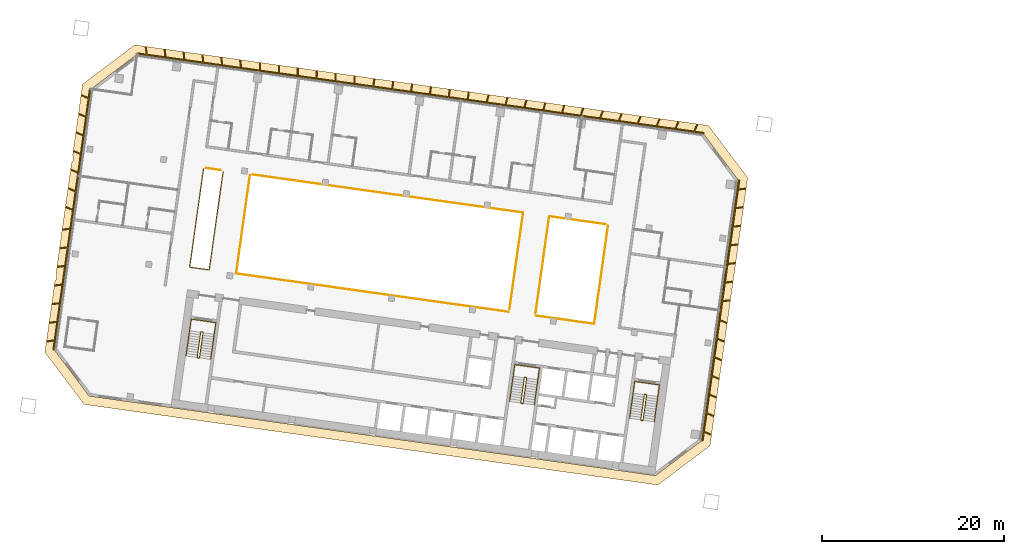
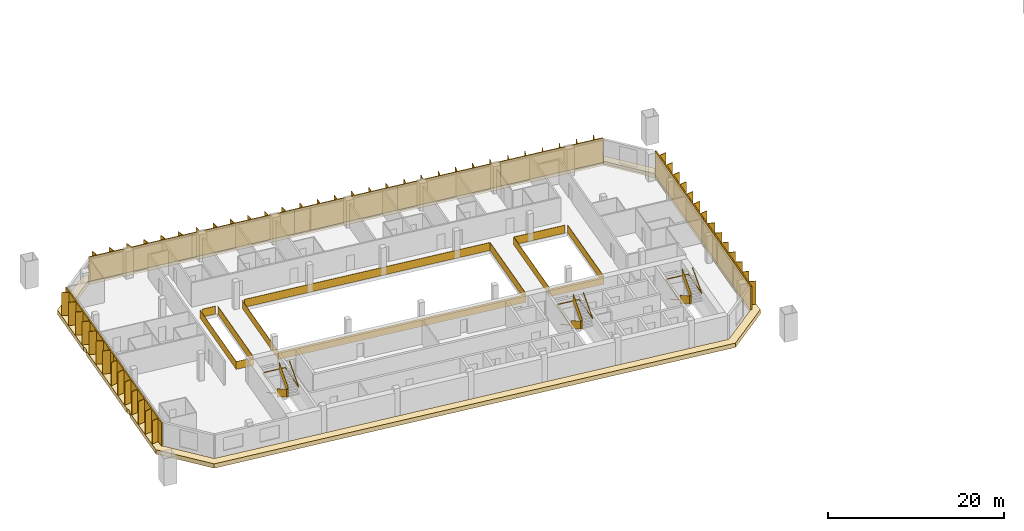
# One storey, part 23 of 24: 12 railings, 9 shading devices, 1 covering.
"""IFC4 building model written with IfcOpenShell, lengths in metres."""

from ifc_helpers import new_model, si_unit, direction, frame, origin, origin_2d, place, context, subcontext, project, spatial, polyline, rectangle, outline, extrude, material, layer, layer_set, type_object, element, save


model = new_model("IFC4")

# Units and contexts
model_context = context("Model", 3, precision=1e-05, world=origin(), true_north=direction((0.0, 1.0)))
body_context = subcontext(model_context, "Body", "Model", "MODEL_VIEW")
ifc_project = project(units=[si_unit("LENGTHUNIT", "METRE"), si_unit("AREAUNIT", "SQUARE_METRE"), si_unit("VOLUMEUNIT", "CUBIC_METRE"), si_unit("PLANEANGLEUNIT", "RADIAN"), si_unit("MASSUNIT", "GRAM", prefix="KILO")], contexts=[model_context])

# Site, building, storey
site_placement = place(None, origin())
site = spatial("IfcSite", under=ifc_project, at=site_placement, CompositionType="ELEMENT")
building_placement = place(site_placement, origin())
building = spatial("IfcBuilding", under=site, at=building_placement, Name="Mirante Cascada Hotel Towers", CompositionType="ELEMENT")
storey_placement = place(building_placement, frame((0.0, 0.0, 132.9)))
storey = spatial("IfcBuildingStorey", under=building, at=storey_placement, Name="L30", CompositionType="ELEMENT", Elevation=132.9)

# Railings
ifc_material_1 = material(Name="Toughened glass with stainless steel handrail", Category="steel")
railing_type_1 = type_object("IfcRailingType", Name="Atrium guard 1100 glass balustrade", PredefinedType="GUARDRAIL", material=ifc_material_1)
railing_1_placement = place(storey_placement, frame((-42.3202, 7.3388, 0.0)))
element("IfcRailing", 1, at=railing_1_placement, inside=storey, type_object=railing_type_1, Name="GUARD 1-L30-1", PredefinedType="GUARDRAIL", context=body_context, shape_type="SweptSolid", body=[
    extrude(rectangle(XDim=0.048, YDim=0.048, at=origin_2d()), frame((0.0, 0.0, 1.076), z_axis=(-0.1391712, -0.9902683, 0.0), x_axis=(0.9902683, -0.1391712, 0.0)), (0.0, 0.0, 1.0), 10.9333),
    extrude(rectangle(XDim=0.02, YDim=1.052, at=origin_2d()), frame((0.0, 0.0, 0.526), z_axis=(-0.1391712, -0.9902683, 0.0), x_axis=(0.9902683, -0.1391712, 0.0)), (0.0, 0.0, 1.0), 10.9333),
    extrude(rectangle(XDim=0.048, YDim=0.048, at=origin_2d()), frame((-1.5216, -10.8269, 1.076), z_axis=(-0.9902673, 0.1391788, 0.0), x_axis=(-0.1391788, -0.9902673, 0.0)), (0.0, 0.0, 1.0), 6.5125),
    extrude(rectangle(XDim=0.02, YDim=1.052, at=origin_2d()), frame((-1.5216, -10.8269, 0.526), z_axis=(-0.9902673, 0.1391788, 0.0), x_axis=(-0.1391788, -0.9902673, 0.0)), (0.0, 0.0, 1.0), 6.5125),
])
railing_2_placement = place(storey_placement, frame((-53.2617, -2.1642, 0.0)))
element("IfcRailing", 2, at=railing_2_placement, inside=storey, type_object=railing_type_1, Name="GUARD 1-L30-2", PredefinedType="GUARDRAIL", context=body_context, shape_type="SweptSolid", body=[
    extrude(rectangle(XDim=0.048, YDim=0.048, at=origin_2d()), frame((0.0, 0.0, 1.076), z_axis=(-0.9902682, 0.1391722, 0.0), x_axis=(-0.1391722, -0.9902682, 0.0)), (0.0, 0.0, 1.0), 30.325),
    extrude(rectangle(XDim=0.02, YDim=1.052, at=origin_2d()), frame((0.0, 0.0, 0.526), z_axis=(-0.9902682, 0.1391722, 0.0), x_axis=(-0.1391722, -0.9902682, 0.0)), (0.0, 0.0, 1.0), 30.325),
    extrude(rectangle(XDim=0.048, YDim=0.048, at=origin_2d()), frame((-30.0299, 4.2204, 1.076), z_axis=(0.1391712, 0.9902683, 0.0), x_axis=(-0.9902683, 0.1391712, 0.0)), (0.0, 0.0, 1.0), 10.9333),
    extrude(rectangle(XDim=0.02, YDim=1.052, at=origin_2d()), frame((-30.0299, 4.2204, 0.526), z_axis=(0.1391712, 0.9902683, 0.0), x_axis=(-0.9902683, 0.1391712, 0.0)), (0.0, 0.0, 1.0), 10.9333),
])
railing_3_placement = place(storey_placement, frame((-84.7408, 13.3007, 0.0)))
element("IfcRailing", 3, at=railing_3_placement, inside=storey, type_object=railing_type_1, Name="GUARD 1-L30-3", PredefinedType="GUARDRAIL", context=body_context, shape_type="SweptSolid", body=[
    extrude(rectangle(XDim=0.048, YDim=0.048, at=origin_2d()), frame((0.0, 0.0, 1.076), z_axis=(-0.1391712, -0.9902683, 0.0), x_axis=(0.9902683, -0.1391712, 0.0)), (0.0, 0.0, 1.0), 10.9333),
    extrude(rectangle(XDim=0.02, YDim=1.052, at=origin_2d()), frame((0.0, 0.0, 0.526), z_axis=(-0.1391712, -0.9902683, 0.0), x_axis=(0.9902683, -0.1391712, 0.0)), (0.0, 0.0, 1.0), 10.9333),
    extrude(rectangle(XDim=0.048, YDim=0.048, at=origin_2d()), frame((-1.5216, -10.8269, 1.076), z_axis=(-0.9902724, 0.1391422, 0.0), x_axis=(-0.1391422, -0.9902724, 0.0)), (0.0, 0.0, 1.0), 2.1625),
    extrude(rectangle(XDim=0.02, YDim=1.052, at=origin_2d()), frame((-1.5216, -10.8269, 0.526), z_axis=(-0.9902724, 0.1391422, 0.0), x_axis=(-0.1391422, -0.9902724, 0.0)), (0.0, 0.0, 1.0), 2.1625),
    extrude(rectangle(XDim=0.048, YDim=0.048, at=origin_2d()), frame((-3.6631, -10.526, 1.076), z_axis=(0.1391801, 0.9902671, 0.0), x_axis=(-0.9902671, 0.1391801, 0.0)), (0.0, 0.0, 1.0), 10.9333),
    extrude(rectangle(XDim=0.02, YDim=1.052, at=origin_2d()), frame((-3.6631, -10.526, 0.526), z_axis=(0.1391801, 0.9902671, 0.0), x_axis=(-0.9902671, 0.1391801, 0.0)), (0.0, 0.0, 1.0), 10.9333),
])
railing_4_placement = place(storey_placement, frame((-84.9982, 13.4546, 0.0)))
element("IfcRailing", 4, at=railing_4_placement, inside=storey, type_object=railing_type_1, Name="GUARD 1-L30-4", PredefinedType="GUARDRAIL", context=body_context, shape_type="SweptSolid", body=[
    extrude(rectangle(XDim=0.048, YDim=0.048, at=origin_2d()), frame((0.0, 0.0, 1.076), z_axis=(-0.9902552, 0.1392643, 0.0), x_axis=(-0.1392643, -0.9902552, 0.0)), (0.0, 0.0, 1.0), 1.6099),
    extrude(rectangle(XDim=0.02, YDim=1.052, at=origin_2d()), frame((0.0, 0.0, 0.526), z_axis=(-0.9902552, 0.1392643, 0.0), x_axis=(-0.1392643, -0.9902552, 0.0)), (0.0, 0.0, 1.0), 1.6099),
])
railing_5_placement = place(storey_placement, frame((-53.172, -1.8782, 0.0)))
element("IfcRailing", 5, at=railing_5_placement, inside=storey, type_object=railing_type_1, Name="GUARD 1-L30-5", PredefinedType="GUARDRAIL", context=body_context, shape_type="SweptSolid", body=[
    extrude(rectangle(XDim=0.048, YDim=0.048, at=origin_2d()), frame((0.0, 0.0, 1.076), z_axis=(0.1391715, 0.9902683, 0.0), x_axis=(-0.9902683, 0.1391715, 0.0)), (0.0, 0.0, 1.0), 10.7544),
    extrude(rectangle(XDim=0.02, YDim=1.052, at=origin_2d()), frame((0.0, 0.0, 0.526), z_axis=(0.1391715, 0.9902683, 0.0), x_axis=(-0.9902683, 0.1391715, 0.0)), (0.0, 0.0, 1.0), 10.7544),
    extrude(rectangle(XDim=0.048, YDim=0.048, at=origin_2d()), frame((1.4967, 10.6497, 1.076), z_axis=(-0.9902686, 0.1391697, 0.0), x_axis=(-0.1391697, -0.9902686, 0.0)), (0.0, 0.0, 1.0), 30.0978),
    extrude(rectangle(XDim=0.02, YDim=1.052, at=origin_2d()), frame((1.4967, 10.6497, 0.526), z_axis=(-0.9902686, 0.1391697, 0.0), x_axis=(-0.1391697, -0.9902686, 0.0)), (0.0, 0.0, 1.0), 30.0978),
])
railing_6_placement = place(storey_placement, frame((-42.5775, 7.4929, 0.0)))
element("IfcRailing", 6, at=railing_6_placement, inside=storey, type_object=railing_type_1, Name="GUARD 1-L30-6", PredefinedType="GUARDRAIL", context=body_context, shape_type="SweptSolid", body=[
    extrude(rectangle(XDim=0.048, YDim=0.048, at=origin_2d()), frame((0.0, 0.0, 1.076), z_axis=(-0.990269, 0.1391668, 0.0), x_axis=(-0.1391668, -0.990269, 0.0)), (0.0, 0.0, 1.0), 6.2853),
    extrude(rectangle(XDim=0.02, YDim=1.052, at=origin_2d()), frame((0.0, 0.0, 0.526), z_axis=(-0.990269, 0.1391668, 0.0), x_axis=(-0.1391668, -0.990269, 0.0)), (0.0, 0.0, 1.0), 6.2853),
    extrude(rectangle(XDim=0.048, YDim=0.048, at=origin_2d()), frame((-6.2241, 0.8747, 1.076), z_axis=(-0.1391702, -0.9902685, 0.0), x_axis=(0.9902685, -0.1391702, 0.0)), (0.0, 0.0, 1.0), 10.7545),
    extrude(rectangle(XDim=0.02, YDim=1.052, at=origin_2d()), frame((-6.2241, 0.8747, 0.526), z_axis=(-0.1391702, -0.9902685, 0.0), x_axis=(0.9902685, -0.1391702, 0.0)), (0.0, 0.0, 1.0), 10.7545),
])

# Covering
ifc_material_2 = material(Name="Precast concrete C40/50 white", Category="concrete")
ifc_layer = layer(ifc_material_2, 0.6)
ifc_layer_set = layer_set([ifc_layer], Name="Precast concrete SUNSHADE band 1000x600")
covering_type = type_object("IfcCoveringType", Name="Precast concrete SUNSHADE band 1000x600", PredefinedType="CLADDING", material=ifc_layer_set)
covering_placement = place(storey_placement, frame((0.0, 0.0, -0.45)))
element("IfcCovering", 7, at=covering_placement, inside=storey, type_object=covering_type, Name="Precast concrete SUNSHADE band T1 L30", PredefinedType="CLADDING", context=body_context, shape_type="SweptSolid", body=[
    extrude(outline(polyline([(-104.3652, -6.6094), (-103.2645, 1.2228), (-103.2509, 1.2354), (-103.2196, 1.2707), (-103.192, 1.3089), (-103.1683, 1.3495), (-103.1486, 1.3924), (-103.1333, 1.4369), (-103.1223, 1.4827), (-103.0787, 1.7162), (-103.0723, 1.7629), (-103.0705, 1.8099), (-103.0734, 1.857), (-103.0808, 1.9035), (-103.0928, 1.949), (-103.1092, 1.9932), (-103.1298, 2.0355), (-103.1465, 2.0626), (-101.4327, 14.2567), (-101.4092, 14.2781), (-101.3777, 14.3131), (-101.3498, 14.3511), (-101.3257, 14.3915), (-101.3058, 14.4342), (-101.2901, 14.4786), (-101.2788, 14.5244), (-101.2721, 14.571), (-101.2497, 14.8074), (-101.2475, 14.8545), (-101.25, 14.9015), (-101.2571, 14.9481), (-101.2687, 14.9938), (-101.2848, 15.0381), (-101.3051, 15.0806), (-101.3147, 15.0965), (-100.2139, 22.9287), (-94.4698, 27.2572), (-31.2626, 18.374), (-26.9341, 12.6299), (-31.0854, -16.9082), (-36.8295, -21.2367), (-100.0367, -12.3535), (-104.3652, -6.6094)]), holes=[polyline([(-27.982, 12.3589), (-31.8119, 17.4414), (-94.1988, 26.2093), (-99.2813, 22.3794), (-103.3173, -6.3384), (-99.4874, -11.4209), (-37.1005, -20.1888), (-32.018, -16.3589), (-27.982, 12.3589)])]), origin(), (0.0, 0.0, 1.0), 0.6),
])

# Railings
ifc_material_3 = material(Name="Painted steel", Category="steel")
railing_type_2 = type_object("IfcRailingType", Name="Stair guard 1100 steel balustrade", PredefinedType="GUARDRAIL", material=ifc_material_3)
railing_7_placement = place(storey_placement, frame((-38.1178, -11.2603, 0.0)))
element("IfcRailing", 8, at=railing_7_placement, inside=storey, type_object=railing_type_2, Name="L30 ST1-A stair guard 1", PredefinedType="GUARDRAIL", context=body_context, shape_type="SweptSolid", body=[
    extrude(rectangle(XDim=0.048, YDim=0.048, at=origin_2d()), frame((0.0, 0.0, 1.076), z_axis=(-0.9903326, 0.1387133, 0.0), x_axis=(-0.1387133, -0.9903326, 0.0)), (0.0, 0.0, 1.0), 0.1499),
    extrude(rectangle(XDim=0.02, YDim=1.052, at=origin_2d()), frame((0.0, 0.0, 0.526), z_axis=(-0.9903326, 0.1387133, 0.0), x_axis=(-0.1387133, -0.9903326, 0.0)), (0.0, 0.0, 1.0), 0.1499),
    extrude(rectangle(XDim=0.048, YDim=0.048, at=origin_2d()), frame((-0.1485, 0.0208, 1.076), z_axis=(-0.7991505, -0.6011309, 0.0), x_axis=(0.6011309, -0.7991505, 0.0)), (0.0, 0.9254529, 0.3788627), 0.1866),
    extrude(rectangle(XDim=0.02, YDim=1.052, at=origin_2d()), frame((-0.1485, 0.0208, 0.526), z_axis=(-0.7991505, -0.6011309, 0.0), x_axis=(0.6011309, -0.7991505, 0.0)), (0.0, 0.9254529, 0.3788627), 0.1866),
    extrude(rectangle(XDim=0.048, YDim=0.048, at=origin_2d()), frame((-0.205, -0.0217, 1.2487), z_axis=(-0.139176, -0.9902677, 0.0), x_axis=(0.9902677, -0.139176, 0.0)), (0.0, 0.5250212, 0.8510891), 3.29),
    extrude(rectangle(XDim=0.02, YDim=1.052, at=origin_2d()), frame((-0.205, -0.0217, 0.6987), z_axis=(-0.139176, -0.9902677, 0.0), x_axis=(0.9902677, -0.139176, 0.0)), (0.0, 0.5250212, 0.8510891), 3.29),
    extrude(rectangle(XDim=0.048, YDim=0.048, at=origin_2d()), frame((-0.5947, -2.7945, 2.976), z_axis=(0.9270311, -0.3749843, 0.0), x_axis=(0.3749843, 0.9270311, 0.0)), (0.0, 0.0, 1.0), 0.2061),
    extrude(rectangle(XDim=0.02, YDim=1.052, at=origin_2d()), frame((-0.5947, -2.7945, 2.426), z_axis=(0.9270311, -0.3749843, 0.0), x_axis=(0.3749843, 0.9270311, 0.0)), (0.0, 0.0, 1.0), 0.2061),
    extrude(rectangle(XDim=0.048, YDim=0.048, at=origin_2d()), frame((-0.4036, -2.8718, 2.976), z_axis=(-0.9902408, 0.1393672, 0.0), x_axis=(-0.1393672, -0.9902408, 0.0)), (0.0, 0.0, 1.0), 0.15),
    extrude(rectangle(XDim=0.02, YDim=1.052, at=origin_2d()), frame((-0.4036, -2.8718, 2.426), z_axis=(-0.9902408, 0.1393672, 0.0), x_axis=(-0.1393672, -0.9902408, 0.0)), (0.0, 0.0, 1.0), 0.15),
    extrude(rectangle(XDim=0.048, YDim=0.048, at=origin_2d()), frame((-0.5521, -2.8509, 2.976), z_axis=(0.9944948, 0.1047858, 0.0), x_axis=(-0.1047858, 0.9944948, 0.0)), (0.0, 0.6422034, 0.7665343), 0.2689),
    extrude(rectangle(XDim=0.02, YDim=1.052, at=origin_2d()), frame((-0.5521, -2.8509, 2.426), z_axis=(0.9944948, 0.1047858, 0.0), x_axis=(-0.1047858, 0.9944948, 0.0)), (0.0, 0.6422034, 0.7665343), 0.2689),
    extrude(rectangle(XDim=0.048, YDim=0.048, at=origin_2d()), frame((-0.3471, -2.8293, 3.1487), z_axis=(0.139176, 0.9902677, 0.0), x_axis=(-0.9902677, 0.139176, 0.0)), (0.0, 0.5250212, 0.8510891), 3.29),
    extrude(rectangle(XDim=0.02, YDim=1.052, at=origin_2d()), frame((-0.3471, -2.8293, 2.5987), z_axis=(0.139176, 0.9902677, 0.0), x_axis=(-0.9902677, 0.139176, 0.0)), (0.0, 0.5250212, 0.8510891), 3.29),
])
railing_8_placement = place(storey_placement, frame((-51.3379, -9.4024, 0.0)))
element("IfcRailing", 9, at=railing_8_placement, inside=storey, type_object=railing_type_2, Name="L30 ST1-B stair guard 1", PredefinedType="GUARDRAIL", context=body_context, shape_type="SweptSolid", body=[
    extrude(rectangle(XDim=0.048, YDim=0.048, at=origin_2d()), frame((0.0, 0.0, 1.076), z_axis=(-0.9902408, 0.1393672, 0.0), x_axis=(-0.1393672, -0.9902408, 0.0)), (0.0, 0.0, 1.0), 0.15),
    extrude(rectangle(XDim=0.02, YDim=1.052, at=origin_2d()), frame((0.0, 0.0, 0.526), z_axis=(-0.9902408, 0.1393672, 0.0), x_axis=(-0.1393672, -0.9902408, 0.0)), (0.0, 0.0, 1.0), 0.15),
    extrude(rectangle(XDim=0.048, YDim=0.048, at=origin_2d()), frame((-0.1485, 0.0209, 1.076), z_axis=(-0.7984711, -0.6020331, 0.0), x_axis=(0.6020331, -0.7984711, 0.0)), (0.0, 0.9253398, 0.3791387), 0.1866),
    extrude(rectangle(XDim=0.02, YDim=1.052, at=origin_2d()), frame((-0.1485, 0.0209, 0.526), z_axis=(-0.7984711, -0.6020331, 0.0), x_axis=(0.6020331, -0.7984711, 0.0)), (0.0, 0.9253398, 0.3791387), 0.1866),
    extrude(rectangle(XDim=0.048, YDim=0.048, at=origin_2d()), frame((-0.205, -0.0217, 1.2487), z_axis=(-0.139181, -0.990267, 0.0), x_axis=(0.990267, -0.139181, 0.0)), (0.0, 0.5250347, 0.8510808), 3.2899),
    extrude(rectangle(XDim=0.02, YDim=1.052, at=origin_2d()), frame((-0.205, -0.0217, 0.6987), z_axis=(-0.139181, -0.990267, 0.0), x_axis=(0.990267, -0.139181, 0.0)), (0.0, 0.5250347, 0.8510808), 3.2899),
    extrude(rectangle(XDim=0.048, YDim=0.048, at=origin_2d()), frame((-0.5947, -2.7944, 2.976), z_axis=(0.9268624, -0.3754011, 0.0), x_axis=(0.3754011, 0.9268624, 0.0)), (0.0, 0.0, 1.0), 0.2062),
    extrude(rectangle(XDim=0.02, YDim=1.052, at=origin_2d()), frame((-0.5947, -2.7944, 2.426), z_axis=(0.9268624, -0.3754011, 0.0), x_axis=(0.3754011, 0.9268624, 0.0)), (0.0, 0.0, 1.0), 0.2062),
    extrude(rectangle(XDim=0.048, YDim=0.048, at=origin_2d()), frame((-0.4036, -2.8718, 2.976), z_axis=(-0.9902408, 0.1393672, 0.0), x_axis=(-0.1393672, -0.9902408, 0.0)), (0.0, 0.0, 1.0), 0.15),
    extrude(rectangle(XDim=0.02, YDim=1.052, at=origin_2d()), frame((-0.4036, -2.8718, 2.426), z_axis=(-0.9902408, 0.1393672, 0.0), x_axis=(-0.1393672, -0.9902408, 0.0)), (0.0, 0.0, 1.0), 0.15),
    extrude(rectangle(XDim=0.048, YDim=0.048, at=origin_2d()), frame((-0.5521, -2.8509, 2.976), z_axis=(0.9944441, 0.1052656, 0.0), x_axis=(-0.1052656, 0.9944441, 0.0)), (0.0, 0.6421842, 0.7665504), 0.2689),
    extrude(rectangle(XDim=0.02, YDim=1.052, at=origin_2d()), frame((-0.5521, -2.8509, 2.426), z_axis=(0.9944441, 0.1052656, 0.0), x_axis=(-0.1052656, 0.9944441, 0.0)), (0.0, 0.6421842, 0.7665504), 0.2689),
    extrude(rectangle(XDim=0.048, YDim=0.048, at=origin_2d()), frame((-0.3471, -2.8292, 3.1487), z_axis=(0.139181, 0.990267, 0.0), x_axis=(-0.990267, 0.139181, 0.0)), (0.0, 0.5250347, 0.8510808), 3.2899),
    extrude(rectangle(XDim=0.02, YDim=1.052, at=origin_2d()), frame((-0.3471, -2.8292, 2.5987), z_axis=(0.139181, 0.990267, 0.0), x_axis=(-0.990267, 0.139181, 0.0)), (0.0, 0.5250347, 0.8510808), 3.2899),
])
railing_9_placement = place(storey_placement, frame((-86.9875, -4.3922, 0.0)))
element("IfcRailing", 10, at=railing_9_placement, inside=storey, type_object=railing_type_2, Name="L30 ST1-C stair guard 1", PredefinedType="GUARDRAIL", context=body_context, shape_type="SweptSolid", body=[
    extrude(rectangle(XDim=0.048, YDim=0.048, at=origin_2d()), frame((0.0, 0.0, 1.076), z_axis=(-0.9902537, 0.1392753, 0.0), x_axis=(-0.1392753, -0.9902537, 0.0)), (0.0, 0.0, 1.0), 0.1501),
    extrude(rectangle(XDim=0.02, YDim=1.052, at=origin_2d()), frame((0.0, 0.0, 0.526), z_axis=(-0.9902537, 0.1392753, 0.0), x_axis=(-0.1392753, -0.9902537, 0.0)), (0.0, 0.0, 1.0), 0.1501),
    extrude(rectangle(XDim=0.048, YDim=0.048, at=origin_2d()), frame((-0.1486, 0.0209, 1.076), z_axis=(-0.7986386, -0.601811, 0.0), x_axis=(0.601811, -0.7986386, 0.0)), (0.0, 0.925603, 0.3784959), 0.1866),
    extrude(rectangle(XDim=0.02, YDim=1.052, at=origin_2d()), frame((-0.1486, 0.0209, 0.526), z_axis=(-0.7986386, -0.601811, 0.0), x_axis=(0.601811, -0.7986386, 0.0)), (0.0, 0.925603, 0.3784959), 0.1866),
    extrude(rectangle(XDim=0.048, YDim=0.048, at=origin_2d()), frame((-0.205, -0.0216, 1.2487), z_axis=(-0.139176, -0.9902677, 0.0), x_axis=(0.9902677, -0.139176, 0.0)), (0.0, 0.5250212, 0.8510891), 3.29),
    extrude(rectangle(XDim=0.02, YDim=1.052, at=origin_2d()), frame((-0.205, -0.0216, 0.6987), z_axis=(-0.139176, -0.9902677, 0.0), x_axis=(0.9902677, -0.139176, 0.0)), (0.0, 0.5250212, 0.8510891), 3.29),
    extrude(rectangle(XDim=0.048, YDim=0.048, at=origin_2d()), frame((-0.5947, -2.7944, 2.976), z_axis=(0.9270311, -0.3749843, 0.0), x_axis=(0.3749843, 0.9270311, 0.0)), (0.0, 0.0, 1.0), 0.2061),
    extrude(rectangle(XDim=0.02, YDim=1.052, at=origin_2d()), frame((-0.5947, -2.7944, 2.426), z_axis=(0.9270311, -0.3749843, 0.0), x_axis=(0.3749843, 0.9270311, 0.0)), (0.0, 0.0, 1.0), 0.2061),
    extrude(rectangle(XDim=0.048, YDim=0.048, at=origin_2d()), frame((-0.4036, -2.8717, 2.976), z_axis=(-0.9903454, 0.1386217, 0.0), x_axis=(-0.1386217, -0.9903454, 0.0)), (0.0, 0.0, 1.0), 0.15),
    extrude(rectangle(XDim=0.02, YDim=1.052, at=origin_2d()), frame((-0.4036, -2.8717, 2.426), z_axis=(-0.9903454, 0.1386217, 0.0), x_axis=(-0.1386217, -0.9903454, 0.0)), (0.0, 0.0, 1.0), 0.15),
    extrude(rectangle(XDim=0.048, YDim=0.048, at=origin_2d()), frame((-0.5522, -2.8509, 2.976), z_axis=(0.9944441, 0.1052656, 0.0), x_axis=(-0.1052656, 0.9944441, 0.0)), (0.0, 0.6421842, 0.7665504), 0.2689),
    extrude(rectangle(XDim=0.02, YDim=1.052, at=origin_2d()), frame((-0.5522, -2.8509, 2.426), z_axis=(0.9944441, 0.1052656, 0.0), x_axis=(-0.1052656, 0.9944441, 0.0)), (0.0, 0.6421842, 0.7665504), 0.2689),
    extrude(rectangle(XDim=0.048, YDim=0.048, at=origin_2d()), frame((-0.3472, -2.8292, 3.1487), z_axis=(0.139176, 0.9902677, 0.0), x_axis=(-0.9902677, 0.139176, 0.0)), (0.0, 0.5250212, 0.8510891), 3.29),
    extrude(rectangle(XDim=0.02, YDim=1.052, at=origin_2d()), frame((-0.3472, -2.8292, 2.5987), z_axis=(0.139176, 0.9902677, 0.0), x_axis=(-0.9902677, 0.139176, 0.0)), (0.0, 0.5250212, 0.8510891), 3.29),
])
ifc_material_4 = material(Name="Painted steel", Category="steel")
railing_type_3 = type_object("IfcRailingType", Name="Stair handrail 900 steel tube", PredefinedType="HANDRAIL", material=ifc_material_4)
railing_10_placement = place(storey_placement, frame((-39.5606, -11.1081, 0.1727)))
element("IfcRailing", 11, at=railing_10_placement, inside=storey, type_object=railing_type_3, Name="L30 ST1-A stair handrail 1", PredefinedType="HANDRAIL", context=body_context, shape_type="SweptSolid", body=[
    extrude(rectangle(XDim=0.048, YDim=0.048, at=origin_2d()), frame((0.0, 0.0, 0.876), z_axis=(-0.139181, -0.990267, 0.0), x_axis=(0.990267, -0.139181, 0.0)), (0.0, 0.5250347, 0.8510808), 3.2899),
    extrude(rectangle(XDim=0.048, YDim=0.048, at=origin_2d()), frame((-0.3897, -2.7727, 2.6033), z_axis=(0.1391707, 0.9902684, 0.0), x_axis=(-0.9902684, 0.1391707, 0.0)), (0.0, 0.0420846, 0.999114), 4.1036),
    extrude(rectangle(XDim=0.048, YDim=0.048, at=origin_2d()), frame((0.1809, 1.2874, 2.776), z_axis=(0.9902691, -0.1391657, 0.0), x_axis=(0.1391657, 0.9902691, 0.0)), (0.0, 0.0, 1.0), 2.75),
    extrude(rectangle(XDim=0.048, YDim=0.048, at=origin_2d()), frame((2.9041, 0.9047, 2.776), z_axis=(-0.1391707, -0.9902684, 0.0), x_axis=(0.9902684, -0.1391707, 0.0)), (0.0, 0.0, 1.0), 4.1),
    extrude(rectangle(XDim=0.048, YDim=0.048, at=origin_2d()), frame((2.3335, -3.1554, 2.776), z_axis=(0.139181, 0.990267, 0.0), x_axis=(-0.990267, 0.139181, 0.0)), (0.0, 0.5250347, 0.8510808), 3.2899),
])
railing_11_placement = place(storey_placement, frame((-52.7807, -9.2501, 0.1727)))
element("IfcRailing", 12, at=railing_11_placement, inside=storey, type_object=railing_type_3, Name="L30 ST1-B stair handrail 1", PredefinedType="HANDRAIL", context=body_context, shape_type="SweptSolid", body=[
    extrude(rectangle(XDim=0.048, YDim=0.048, at=origin_2d()), frame((0.0, 0.0, 0.876), z_axis=(-0.139181, -0.990267, 0.0), x_axis=(0.990267, -0.139181, 0.0)), (0.0, 0.5250347, 0.8510808), 3.2899),
    extrude(rectangle(XDim=0.048, YDim=0.048, at=origin_2d()), frame((-0.3897, -2.7727, 2.6033), z_axis=(0.1391707, 0.9902684, 0.0), x_axis=(-0.9902684, 0.1391707, 0.0)), (0.0, 0.0420846, 0.999114), 4.1036),
    extrude(rectangle(XDim=0.048, YDim=0.048, at=origin_2d()), frame((0.1809, 1.2874, 2.776), z_axis=(0.9902641, -0.1392013, 0.0), x_axis=(0.1392013, 0.9902641, 0.0)), (0.0, 0.0, 1.0), 2.75),
    extrude(rectangle(XDim=0.048, YDim=0.048, at=origin_2d()), frame((2.9041, 0.9046, 2.776), z_axis=(-0.1391707, -0.9902684, 0.0), x_axis=(0.9902684, -0.1391707, 0.0)), (0.0, 0.0, 1.0), 4.1),
    extrude(rectangle(XDim=0.048, YDim=0.048, at=origin_2d()), frame((2.3335, -3.1555, 2.776), z_axis=(0.139176, 0.9902677, 0.0), x_axis=(-0.9902677, 0.139176, 0.0)), (0.0, 0.5250212, 0.8510891), 3.29),
])
railing_12_placement = place(storey_placement, frame((-88.4304, -4.2399, 0.1727)))
element("IfcRailing", 13, at=railing_12_placement, inside=storey, type_object=railing_type_3, Name="L30 ST1-C stair handrail 1", PredefinedType="HANDRAIL", context=body_context, shape_type="SweptSolid", body=[
    extrude(rectangle(XDim=0.048, YDim=0.048, at=origin_2d()), frame((0.0, 0.0, 0.876), z_axis=(-0.139181, -0.990267, 0.0), x_axis=(0.990267, -0.139181, 0.0)), (0.0, 0.5250347, 0.8510808), 3.2899),
    extrude(rectangle(XDim=0.048, YDim=0.048, at=origin_2d()), frame((-0.3897, -2.7727, 2.6033), z_axis=(0.1391947, 0.990265, 0.0), x_axis=(-0.990265, 0.1391947, 0.0)), (0.0, 0.0420845, 0.9991141), 4.1036),
    extrude(rectangle(XDim=0.048, YDim=0.048, at=origin_2d()), frame((0.181, 1.2874, 2.776), z_axis=(0.9902691, -0.1391657, 0.0), x_axis=(0.1391657, 0.9902691, 0.0)), (0.0, 0.0, 1.0), 2.75),
    extrude(rectangle(XDim=0.048, YDim=0.048, at=origin_2d()), frame((2.9042, 0.9047, 2.776), z_axis=(-0.1391707, -0.9902684, 0.0), x_axis=(0.9902684, -0.1391707, 0.0)), (0.0, 0.0, 1.0), 4.1),
    extrude(rectangle(XDim=0.048, YDim=0.048, at=origin_2d()), frame((2.3336, -3.1554, 2.776), z_axis=(0.139181, 0.990267, 0.0), x_axis=(-0.990267, 0.139181, 0.0)), (0.0, 0.5250347, 0.8510808), 3.2899),
])

# Shading devices
ifc_material_5 = material(Name="White precast concrete C50/60 fin", Category="concrete")
shading_device_type = type_object("IfcShadingDeviceType", Name="Vertical fin set 4500x900", PredefinedType="USERDEFINED", material=ifc_material_5)
shading_device_1_placement = place(storey_placement, origin())
element("IfcShadingDevice", 14, at=shading_device_1_placement, inside=storey, type_object=shading_device_type, Name="FIN T1 L30 front 1", ObjectType="FIN", PredefinedType="USERDEFINED", context=body_context, shape_type="SweptSolid", body=[
    extrude(outline(polyline([(-82.8173, 25.599), (-82.7126, 24.7465), (-81.7006, 24.6042), (-81.7214, 24.4557), (-94.1988, 26.2093), (-94.1779, 26.3578), (-93.1924, 26.2193), (-93.2945, 27.0506), (-93.2151, 27.0603), (-93.1104, 26.2078), (-91.1129, 25.9271), (-91.2149, 26.7583), (-91.1355, 26.7681), (-91.0308, 25.9155), (-89.0333, 25.6348), (-89.1354, 26.4661), (-89.056, 26.4758), (-88.9513, 25.6233), (-86.9537, 25.3425), (-87.0558, 26.1738), (-86.9764, 26.1835), (-86.8717, 25.331), (-84.8742, 25.0503), (-84.9762, 25.8815), (-84.8968, 25.8913), (-84.7922, 25.0387), (-82.7946, 24.758), (-82.8967, 25.5893), (-82.8173, 25.599)])), origin(), (0.0, 0.0, 1.0), 3.35),
])
shading_device_2_placement = place(storey_placement, origin())
element("IfcShadingDevice", 15, at=shading_device_2_placement, inside=storey, type_object=shading_device_type, Name="FIN T1 L30 front 2", ObjectType="FIN", PredefinedType="USERDEFINED", context=body_context, shape_type="SweptSolid", body=[
    extrude(outline(polyline([(-70.2221, 23.8469), (-70.2295, 22.9921), (-69.2232, 22.8507), (-69.2441, 22.7021), (-81.7214, 24.4557), (-81.7006, 24.6042), (-80.7072, 24.4646), (-80.6999, 25.3089), (-80.6199, 25.3082), (-80.6273, 24.4534), (-78.6277, 24.1724), (-78.6203, 25.0166), (-78.5403, 25.0159), (-78.5478, 24.1611), (-76.5481, 23.8801), (-76.5407, 24.7244), (-76.4608, 24.7237), (-76.4682, 23.8689), (-74.4686, 23.5878), (-74.4612, 24.4321), (-74.3812, 24.4314), (-74.3886, 23.5766), (-72.389, 23.2956), (-72.3816, 24.1399), (-72.3016, 24.1392), (-72.3091, 23.2844), (-70.3094, 23.0033), (-70.3021, 23.8476), (-70.2221, 23.8469)])), origin(), (0.0, 0.0, 1.0), 3.35),
])
shading_device_3_placement = place(storey_placement, origin())
element("IfcShadingDevice", 16, at=shading_device_3_placement, inside=storey, type_object=shading_device_type, Name="FIN T1 L30 front 3", ObjectType="FIN", PredefinedType="USERDEFINED", context=body_context, shape_type="SweptSolid", body=[
    extrude(outline(polyline([(-57.6277, 22.0794), (-57.746, 21.2376), (-56.7458, 21.0971), (-56.7667, 20.9485), (-69.2441, 22.7021), (-69.2232, 22.8507), (-68.223, 22.7101), (-68.1047, 23.5518), (-68.0255, 23.5407), (-68.1438, 22.699), (-66.1434, 22.4178), (-66.0251, 23.2596), (-65.9459, 23.2484), (-66.0642, 22.4067), (-64.0639, 22.1256), (-63.9456, 22.9673), (-63.8664, 22.9562), (-63.9847, 22.1144), (-61.9843, 21.8333), (-61.866, 22.675), (-61.7868, 22.6639), (-61.9051, 21.8222), (-59.9048, 21.541), (-59.7865, 22.3828), (-59.7072, 22.3716), (-59.8255, 21.5299), (-57.8252, 21.2488), (-57.7069, 22.0905), (-57.6277, 22.0794)])), origin(), (0.0, 0.0, 1.0), 3.35),
])
shading_device_4_placement = place(storey_placement, origin())
element("IfcShadingDevice", 17, at=shading_device_4_placement, inside=storey, type_object=shading_device_type, Name="FIN T1 L30 front 4", ObjectType="FIN", PredefinedType="USERDEFINED", context=body_context, shape_type="SweptSolid", body=[
    extrude(outline(polyline([(-45.0361, 20.2967), (-45.2617, 19.4831), (-44.2684, 19.3435), (-44.2893, 19.195), (-56.7667, 20.9485), (-56.7458, 21.0971), (-55.7394, 20.9556), (-55.511, 21.7794), (-55.4339, 21.758), (-55.6595, 20.9444), (-53.6599, 20.6634), (-53.4314, 21.4871), (-53.3544, 21.4657), (-53.58, 20.6521), (-51.5803, 20.3711), (-51.3519, 21.1949), (-51.2748, 21.1735), (-51.5004, 20.3599), (-49.5008, 20.0789), (-49.2723, 20.9026), (-49.1952, 20.8812), (-49.4209, 20.0676), (-47.4212, 19.7866), (-47.1928, 20.6103), (-47.1157, 20.589), (-47.3413, 19.7754), (-45.3416, 19.4943), (-45.1132, 20.3181), (-45.0361, 20.2967)])), origin(), (0.0, 0.0, 1.0), 3.35),
])
shading_device_5_placement = place(storey_placement, origin())
element("IfcShadingDevice", 18, at=shading_device_5_placement, inside=storey, type_object=shading_device_type, Name="FIN T1 L30 front 5", ObjectType="FIN", PredefinedType="USERDEFINED", context=body_context, shape_type="SweptSolid", body=[
    extrude(outline(polyline([(-32.4493, 18.4994), (-32.7765, 17.7284), (-31.791, 17.5899), (-31.8119, 17.4414), (-44.2893, 19.195), (-44.2684, 19.3435), (-43.2564, 19.2013), (-42.9208, 19.9919), (-42.8471, 19.9607), (-43.1744, 19.1897), (-41.1768, 18.909), (-40.8412, 19.6997), (-40.7676, 19.6684), (-41.0948, 18.8975), (-39.0973, 18.6167), (-38.7616, 19.4074), (-38.688, 19.3761), (-39.0152, 18.6052), (-37.0177, 18.3245), (-36.6821, 19.1151), (-36.6084, 19.0839), (-36.9357, 18.3129), (-34.9381, 18.0322), (-34.6025, 18.8229), (-34.5289, 18.7916), (-34.8561, 18.0207), (-32.8586, 17.7399), (-32.5229, 18.5306), (-32.4493, 18.4994)])), origin(), (0.0, 0.0, 1.0), 3.35),
])
shading_device_6_placement = place(storey_placement, origin())
element("IfcShadingDevice", 19, at=shading_device_6_placement, inside=storey, type_object=shading_device_type, Name="FIN T1 L30 inner 1", ObjectType="FIN", PredefinedType="USERDEFINED", context=body_context, shape_type="SweptSolid", body=[
    extrude(outline(polyline([(-29.7112, -1.023), (-29.8515, -2.0209), (-30.0, -2.0), (-27.982, 12.3589), (-27.8334, 12.338), (-27.97, 11.3667), (-27.1387, 11.4687), (-27.1289, 11.3893), (-27.9815, 11.2846), (-28.2583, 9.3154), (-27.427, 9.4174), (-27.4172, 9.338), (-28.2698, 9.2334), (-28.5465, 7.2641), (-27.7153, 7.3662), (-27.7055, 7.2868), (-28.5581, 7.1821), (-28.8348, 5.2128), (-28.0036, 5.3149), (-27.9938, 5.2355), (-28.8464, 5.1308), (-29.1231, 3.1616), (-28.2918, 3.2636), (-28.2821, 3.1842), (-29.1346, 3.0796), (-29.4114, 1.1103), (-28.5801, 1.2124), (-28.5704, 1.133), (-29.4229, 1.0283), (-29.6997, -0.941), (-28.8684, -0.8389), (-28.8587, -0.9183), (-29.7112, -1.023)])), origin(), (0.0, 0.0, 1.0), 3.35),
])
shading_device_7_placement = place(storey_placement, origin())
element("IfcShadingDevice", 20, at=shading_device_7_placement, inside=storey, type_object=shading_device_type, Name="FIN T1 L30 inner 2", ObjectType="FIN", PredefinedType="USERDEFINED", context=body_context, shape_type="SweptSolid", body=[
    extrude(outline(polyline([(-31.733, -15.4084), (-31.8695, -16.3798), (-32.018, -16.3589), (-30.0, -2.0), (-29.8515, -2.0209), (-29.9917, -3.0188), (-29.201, -3.3544), (-29.2323, -3.428), (-30.0032, -3.1008), (-30.28, -5.07), (-29.4893, -5.4057), (-29.5206, -5.4793), (-30.2915, -5.1521), (-30.5683, -7.1213), (-29.7776, -7.4569), (-29.8089, -7.5306), (-30.5798, -7.2033), (-30.8566, -9.1726), (-30.0659, -9.5082), (-30.0972, -9.5818), (-30.8681, -9.2546), (-31.1449, -11.2238), (-30.3542, -11.5595), (-30.3854, -11.6331), (-31.1564, -11.3059), (-31.4331, -13.2751), (-30.6425, -13.6107), (-30.6737, -13.6844), (-31.4447, -13.3571), (-31.7214, -15.3264), (-30.9308, -15.662), (-30.962, -15.7356), (-31.733, -15.4084)])), origin(), (0.0, 0.0, 1.0), 3.35),
])
shading_device_8_placement = place(storey_placement, origin())
element("IfcShadingDevice", 21, at=shading_device_8_placement, inside=storey, type_object=shading_device_type, Name="FIN T1 L30 outer 1", ObjectType="FIN", PredefinedType="USERDEFINED", context=body_context, shape_type="SweptSolid", body=[
    extrude(outline(polyline([(-103.3178, -5.2642), (-103.041, -3.2949), (-103.8723, -3.397), (-103.8821, -3.3176), (-103.0295, -3.2129), (-102.7528, -1.2436), (-103.584, -1.3457), (-103.5938, -1.2663), (-102.7412, -1.1616), (-102.4645, 0.8076), (-103.2957, 0.7056), (-103.3055, 0.785), (-102.4529, 0.8896), (-102.1762, 2.8589), (-103.0075, 2.7568), (-103.0172, 2.8362), (-102.1647, 2.9409), (-101.8879, 4.9102), (-102.7192, 4.8081), (-102.7289, 4.8875), (-101.8764, 4.9922), (-101.5996, 6.9614), (-102.4309, 6.8594), (-102.4406, 6.9388), (-101.5881, 7.0434), (-101.4478, 8.0413), (-101.2993, 8.0205), (-103.3173, -6.3384), (-103.4659, -6.3175), (-103.3293, -5.3462), (-104.1606, -5.4483), (-104.1704, -5.3689), (-103.3178, -5.2642)])), origin(), (0.0, 0.0, 1.0), 3.35),
])
shading_device_9_placement = place(storey_placement, origin())
element("IfcShadingDevice", 22, at=shading_device_9_placement, inside=storey, type_object=shading_device_type, Name="FIN T1 L30 outer 2", ObjectType="FIN", PredefinedType="USERDEFINED", context=body_context, shape_type="SweptSolid", body=[
    extrude(outline(polyline([(-101.2961, 9.1212), (-101.0193, 11.0905), (-101.81, 11.4261), (-101.7787, 11.4998), (-101.0078, 11.1725), (-100.731, 13.1418), (-101.5217, 13.4774), (-101.4904, 13.551), (-100.7195, 13.2238), (-100.4427, 15.193), (-101.2334, 15.5287), (-101.2021, 15.6023), (-100.4312, 15.2751), (-100.1544, 17.2443), (-100.9451, 17.5799), (-100.9139, 17.6536), (-100.1429, 17.3263), (-99.8662, 19.2956), (-100.6568, 19.6312), (-100.6256, 19.7048), (-99.8546, 19.3776), (-99.5779, 21.3469), (-100.3685, 21.6825), (-100.3373, 21.7561), (-99.5663, 21.4289), (-99.4298, 22.4002), (-99.2813, 22.3794), (-101.2993, 8.0205), (-101.4478, 8.0413), (-101.3076, 9.0392), (-102.0983, 9.3749), (-102.067, 9.4485), (-101.2961, 9.1212)])), origin(), (0.0, 0.0, 1.0), 3.35),
])

save(model, "model.ifc")
